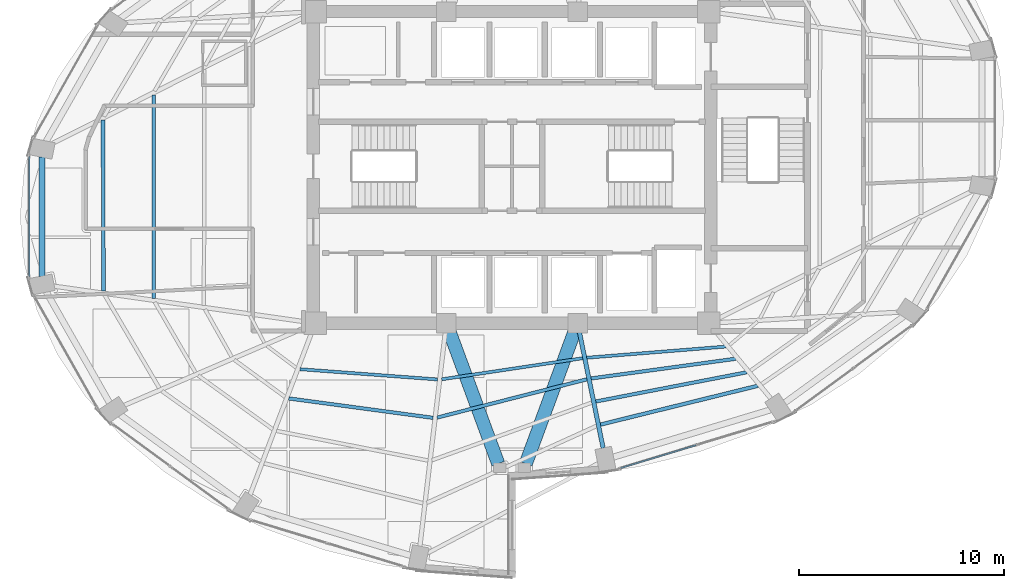
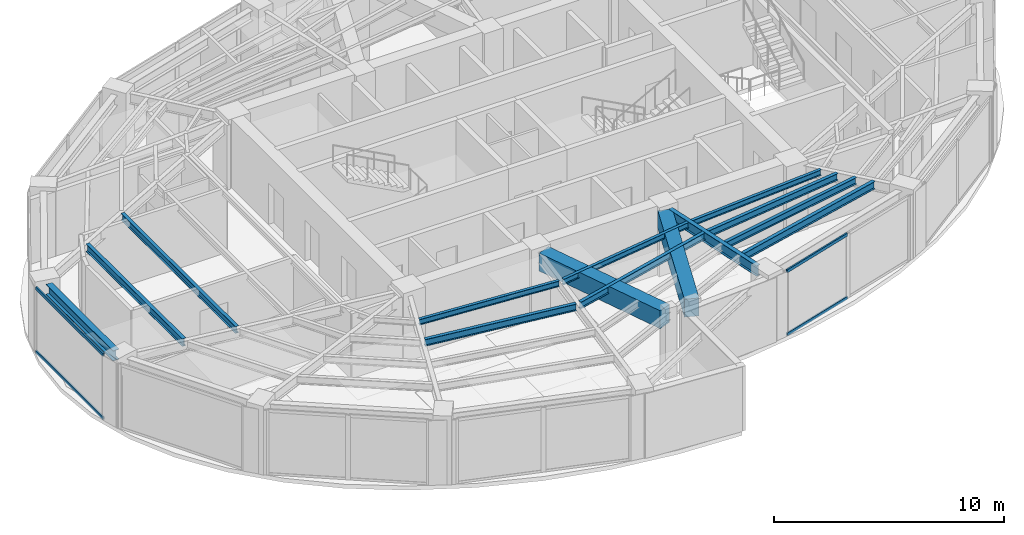
# One storey, part 5 of 20: 14 beams, 4 members, 2 elements without a shape of their own.
"""IFC4 building model written with IfcOpenShell, lengths in metres."""

from ifc_helpers import new_model, si_unit, direction, frame, origin, origin_2d, place, context, subcontext, project, spatial, rectangle, hollow_rectangle, i_section, extrude, material, layer, layer_set, material_profile, profile_set, type_object, element, aggregate, save


model = new_model("IFC4")

# Units and contexts
model_context = context("Model", 3, precision=1e-05, world=origin(), true_north=direction((0.0, 1.0)))
body_context = subcontext(model_context, "Body", "Model", "MODEL_VIEW")
ifc_project = project(units=[si_unit("LENGTHUNIT", "METRE"), si_unit("AREAUNIT", "SQUARE_METRE"), si_unit("VOLUMEUNIT", "CUBIC_METRE"), si_unit("PLANEANGLEUNIT", "RADIAN"), si_unit("MASSUNIT", "GRAM", prefix="KILO")], contexts=[model_context])

# Site, building, storey
site_placement = place(None, origin())
site = spatial("IfcSite", under=ifc_project, at=site_placement, CompositionType="ELEMENT")
building_placement = place(site_placement, origin())
building = spatial("IfcBuilding", under=site, at=building_placement, Name="Lazwardi Medical Tower", CompositionType="ELEMENT")
storey_placement = place(building_placement, frame((0.0, 0.0, 141.93603515625)))
storey = spatial("IfcBuildingStorey", under=building, at=storey_placement, Name="L36", CompositionType="ELEMENT", Elevation=141.93603515625)

# Beams
ifc_material_1 = material(Name="Concrete C60/75", Category="concrete")
ifc_material_profile_1 = material_profile(ifc_material_1, rectangle(XDim=0.64990234375, YDim=0.949951171875, at=origin_2d()), Name="RC 650x950")
ifc_profile_set_1 = profile_set([ifc_material_profile_1], Name="Concrete C60/75")
beam_type_1 = type_object("IfcBeamType", Name="BM-CB-RC2", PredefinedType="LINTEL", material=ifc_profile_set_1)
for number, where, z_axis, x_axis, name in (
    (1, (32.959228515625, 19.968505859375, 2.952880859375), (0.34601281054, -0.938229787921, 0.0), (0.938229787921, 0.34601281054, 0.0), "Core coupling lintel CB-02 PL3 L36"),
    (2, (39.040771484375, 19.968505859375, 2.952880859375), (-0.34601281054, -0.938229787921, 0.0), (0.938229787921, -0.34601281054, 0.0), "Core coupling lintel CB-02 PL4 L36"),
):
    element("IfcBeam", number, at=place(storey_placement, frame(where, z_axis=z_axis, x_axis=x_axis)), inside=storey, type_object=beam_type_1, Name=name, PredefinedType="LINTEL", context=body_context, shape_type="SweptSolid", body=[
        extrude(rectangle(XDim=0.64990234375, YDim=0.949951171875, at=origin_2d()), origin(), (0.0, 0.0, 1.0), 6.84423828125),
    ])
ifc_material_2 = material(Name="Steel S355", Category="steel")
ifc_material_profile_2 = material_profile(ifc_material_2, i_section(OverallWidth=0.300048828125, OverallDepth=0.550048828125, WebThickness=0.014892578125, FlangeThickness=0.029052734375, at=origin_2d()), Name="HEB 550")
ifc_profile_set_2 = profile_set([ifc_material_profile_2], Name="Steel S355")
beam_type_2 = type_object("IfcBeamType", Name="BM-RB-Z3", PredefinedType="BEAM", material=ifc_profile_set_2)
beam_1_placement = place(storey_placement, frame((13.07421875, 28.51171875, 3.153076171875), z_axis=(0.0, -1.0, 0.0), x_axis=(1.0, 0.0, 0.0)))
element("IfcBeam", 3, at=beam_1_placement, inside=storey, type_object=beam_type_2, Name="Ring beam RB-04 B12 L36", PredefinedType="BEAM", context=body_context, shape_type="SweptSolid", body=[
    extrude(i_section(OverallWidth=0.300048828125, OverallDepth=0.550048828125, WebThickness=0.014892578125, FlangeThickness=0.029052734375, at=origin_2d()), origin(), (0.0, 0.0, 1.0), 5.823486328125),
])
ifc_material_profile_3 = material_profile(ifc_material_2, i_section(OverallWidth=0.2099609375, OverallDepth=0.550048828125, WebThickness=0.010986328125, FlangeThickness=0.01708984375, at=origin_2d()), Name="IPE 550")
ifc_profile_set_3 = profile_set([ifc_material_profile_3], Name="Steel S355")
beam_type_3 = type_object("IfcBeamType", Name="BM-RG-W2", PredefinedType="BEAM", material=ifc_profile_set_3)
beam_2_placement = place(storey_placement, frame((40.447998046875, 14.2998046875, 3.153076171875), z_axis=(-0.200429485343, 0.979708130723, 0.0), x_axis=(-0.979708130723, -0.200429485343, 0.0)))
element("IfcBeam", 4, at=beam_2_placement, inside=storey, type_object=beam_type_3, Name="Radial girder RG-03 R01 L36", PredefinedType="BEAM", context=body_context, shape_type="SweptSolid", body=[
    extrude(i_section(OverallWidth=0.2099609375, OverallDepth=0.550048828125, WebThickness=0.010986328125, FlangeThickness=0.01708984375, at=origin_2d()), origin(), (0.0, 0.0, 1.0), 5.766357421875),
])
ifc_material_profile_4 = material_profile(ifc_material_2, i_section(OverallWidth=0.179931640625, OverallDepth=0.39990234375, WebThickness=0.008544921875, FlangeThickness=0.013427734375, at=origin_2d()), Name="IPE 400")
ifc_profile_set_4 = profile_set([ifc_material_profile_4], Name="Steel S355")
beam_type_4 = type_object("IfcBeamType", Name="BM-SJ-01", PredefinedType="JOIST", material=ifc_profile_set_4)
beam_3_placement = place(storey_placement, frame((40.31396484375, 15.45361328125, 3.22802734375), z_axis=(0.970912648168, 0.239433977597, 0.0), x_axis=(-0.239433977597, 0.970912648168, 0.0)))
element("IfcBeam", 5, at=beam_3_placement, inside=storey, type_object=beam_type_4, Name="Secondary joist SJ-01 R1 B01 L36", PredefinedType="JOIST", context=body_context, shape_type="SweptSolid", body=[
    extrude(i_section(OverallWidth=0.179931640625, OverallDepth=0.39990234375, WebThickness=0.008544921875, FlangeThickness=0.013427734375, at=origin_2d()), origin(), (0.0, 0.0, 1.0), 7.91162109375),
])
beam_4_placement = place(storey_placement, frame((16.04443359375, 30.30224609375, 3.22802734375), z_axis=(0.003864366017, -0.99999253331, 0.0), x_axis=(0.99999253331, 0.003864366017, 0.0)))
element("IfcBeam", 6, at=beam_4_placement, inside=storey, type_object=beam_type_4, Name="Secondary joist SJ-01 R1 B12 L36", PredefinedType="JOIST", context=body_context, shape_type="SweptSolid", body=[
    extrude(i_section(OverallWidth=0.179931640625, OverallDepth=0.39990234375, WebThickness=0.008544921875, FlangeThickness=0.013427734375, at=origin_2d()), origin(), (0.0, 0.0, 1.0), 8.33935546875),
])
ifc_material_profile_5 = material_profile(ifc_material_2, i_section(OverallWidth=0.169921875, OverallDepth=0.360107421875, WebThickness=0.008056640625, FlangeThickness=0.0126953125, at=origin_2d()), Name="IPE 360")
ifc_profile_set_5 = profile_set([ifc_material_profile_5], Name="Steel S355")
beam_type_5 = type_object("IfcBeamType", Name="BM-SJ-02", PredefinedType="JOIST", material=ifc_profile_set_5)
beam_5_placement = place(storey_placement, frame((40.083984375, 16.57861328125, 3.248046875), z_axis=(0.981753035865, 0.190160396953, 0.0), x_axis=(-0.190160396953, 0.981753035865, 0.0)))
element("IfcBeam", 7, at=beam_5_placement, inside=storey, type_object=beam_type_5, Name="Secondary joist SJ-02 R2 B01 L36", PredefinedType="JOIST", context=body_context, shape_type="SweptSolid", body=[
    extrude(i_section(OverallWidth=0.169921875, OverallDepth=0.360107421875, WebThickness=0.008056640625, FlangeThickness=0.0126953125, at=origin_2d()), origin(), (0.0, 0.0, 1.0), 7.50927734375),
])
beam_6_placement = place(storey_placement, frame((18.513671875, 31.541748046875, 3.248046875), z_axis=(0.001156040156, -0.999999331785, 0.0), x_axis=(0.999999331785, 0.001156040156, 0.0)))
element("IfcBeam", 8, at=beam_6_placement, inside=storey, type_object=beam_type_5, Name="Secondary joist SJ-02 R2 B12 L36", PredefinedType="JOIST", context=body_context, shape_type="SweptSolid", body=[
    extrude(i_section(OverallWidth=0.169921875, OverallDepth=0.360107421875, WebThickness=0.008056640625, FlangeThickness=0.0126953125, at=origin_2d()), origin(), (0.0, 0.0, 1.0), 9.92578125),
])
beam_7_placement = place(storey_placement, frame((39.853515625, 17.702880859375, 3.248046875), z_axis=(0.990832043476, 0.135099450852, 0.0), x_axis=(-0.135099450852, 0.990832043476, 0.0)))
element("IfcBeam", 9, at=beam_7_placement, inside=storey, type_object=beam_type_5, Name="Secondary joist SJ-02 R3 B01 L36", PredefinedType="JOIST", context=body_context, shape_type="SweptSolid", body=[
    extrude(i_section(OverallWidth=0.169921875, OverallDepth=0.360107421875, WebThickness=0.008056640625, FlangeThickness=0.0126953125, at=origin_2d()), origin(), (0.0, 0.0, 1.0), 7.129150390625),
])
beam_8_placement = place(storey_placement, frame((25.110107421875, 16.730224609375, 3.248046875), z_axis=(0.991056291961, -0.133444468468, 0.0), x_axis=(0.133444468468, 0.991056291961, 0.0)))
element("IfcBeam", 10, at=beam_8_placement, inside=storey, type_object=beam_type_5, Name="Secondary joist SJ-02 R3 B15 L36", PredefinedType="JOIST", context=body_context, shape_type="SweptSolid", body=[
    extrude(i_section(OverallWidth=0.169921875, OverallDepth=0.360107421875, WebThickness=0.008056640625, FlangeThickness=0.0126953125, at=origin_2d()), origin(), (0.0, 0.0, 1.0), 7.10400390625),
])
beam_9_placement = place(storey_placement, frame((32.3466796875, 15.793701171875, 3.248046875), z_axis=(0.96877632572, 0.247936344097, 0.0), x_axis=(-0.247936344097, 0.96877632572, 0.0)))
element("IfcBeam", 11, at=beam_9_placement, inside=storey, type_object=beam_type_5, Name="Secondary joist SJ-02 R3 B16 L36", PredefinedType="JOIST", context=body_context, shape_type="SweptSolid", body=[
    extrude(i_section(OverallWidth=0.169921875, OverallDepth=0.360107421875, WebThickness=0.008056640625, FlangeThickness=0.0126953125, at=origin_2d()), origin(), (0.0, 0.0, 1.0), 7.546630859375),
])
ifc_material_profile_6 = material_profile(ifc_material_2, i_section(OverallWidth=0.14990234375, OverallDepth=0.300048828125, WebThickness=0.007080078125, FlangeThickness=0.0107421875, at=origin_2d()), Name="IPE 300")
ifc_profile_set_6 = profile_set([ifc_material_profile_6], Name="Steel S355")
beam_type_6 = type_object("IfcBeamType", Name="BM-SJ-03", PredefinedType="JOIST", material=ifc_profile_set_6)
beam_10_placement = place(storey_placement, frame((39.646240234375, 18.71435546875, 3.278076171875), z_axis=(0.996785792338, 0.08011294647, 0.0), x_axis=(-0.08011294647, 0.996785792338, 0.0)))
element("IfcBeam", 12, at=beam_10_placement, inside=storey, type_object=beam_type_6, Name="Secondary joist SJ-03 R4 B01 L36", PredefinedType="JOIST", context=body_context, shape_type="SweptSolid", body=[
    extrude(i_section(OverallWidth=0.14990234375, OverallDepth=0.300048828125, WebThickness=0.007080078125, FlangeThickness=0.0107421875, at=origin_2d()), origin(), (0.0, 0.0, 1.0), 6.80810546875),
])
beam_11_placement = place(storey_placement, frame((25.650390625, 18.156494140625, 3.278076171875), z_axis=(0.99722699261, -0.074419924822, 0.0), x_axis=(0.074419924822, 0.99722699261, 0.0)))
element("IfcBeam", 13, at=beam_11_placement, inside=storey, type_object=beam_type_6, Name="Secondary joist SJ-03 R4 B15 L36", PredefinedType="JOIST", context=body_context, shape_type="SweptSolid", body=[
    extrude(i_section(OverallWidth=0.14990234375, OverallDepth=0.300048828125, WebThickness=0.007080078125, FlangeThickness=0.0107421875, at=origin_2d()), origin(), (0.0, 0.0, 1.0), 6.74169921875),
])
beam_12_placement = place(storey_placement, frame((32.57177734375, 17.662109375, 3.278076171875), z_axis=(0.98897469849, 0.148084589835, 0.0), x_axis=(-0.148084589835, 0.98897469849, 0.0)))
element("IfcBeam", 14, at=beam_12_placement, inside=storey, type_object=beam_type_6, Name="Secondary joist SJ-03 R4 B16 L36", PredefinedType="JOIST", context=body_context, shape_type="SweptSolid", body=[
    extrude(i_section(OverallWidth=0.14990234375, OverallDepth=0.300048828125, WebThickness=0.007080078125, FlangeThickness=0.0107421875, at=origin_2d()), origin(), (0.0, 0.0, 1.0), 6.952392578125),
])

# Curtain wall, members
ifc_material_3 = material(Name="Anodised bronze aluminium and solar control glazing", Category="aluminium")
ifc_layer = layer(ifc_material_3, 0.195068359375)
ifc_layer_set = layer_set([ifc_layer], Name="Anodised bronze aluminium and solar control glazing")
curtain_wall_type = type_object("IfcCurtainWallType", Name="CW-SYS-03", PredefinedType="NOTDEFINED", material=ifc_layer_set)
curtain_wall_1_placement = place(storey_placement, origin())
curtain_wall_1 = element("IfcCurtainWall", 15, at=curtain_wall_1_placement, inside=storey, type_object=curtain_wall_type, Name="L36 Unitised bronze curtain wall CW-03", PredefinedType="NOTDEFINED")
ifc_material_4 = material(Name="Anodised bronze aluminium", Category="aluminium")
ifc_material_profile_7 = material_profile(ifc_material_4, hollow_rectangle(XDim=0.074951171875, YDim=0.159912109375, WallThickness=0.00390625, at=origin_2d()), Name="ALU-TRANSOM 160x75x4")
ifc_profile_set_7 = profile_set([ifc_material_profile_7], Name="Anodised bronze aluminium")
member_type = type_object("IfcMemberType", Name="CW-TRN-01", PredefinedType="USERDEFINED", material=ifc_profile_set_7)
member_1_placement = place(storey_placement, frame((41.307861328125, 13.336669921875, 0.037353515625), z_axis=(0.956935517424, 0.290300560612, 0.0), x_axis=(-0.290300560612, 0.956935517424, 0.0)))
member_1 = element("IfcMember", 16, at=member_1_placement, type_object=member_type, Name="CW-03 transom 1.1", ObjectType="TRANSOM", PredefinedType="USERDEFINED", context=body_context, shape_type="SweptSolid", body=[
    extrude(hollow_rectangle(XDim=0.074951171875, YDim=0.159912109375, WallThickness=0.00390625, at=origin_2d()), origin(), (0.0, 0.0, 1.0), 3.836669921875),
])
member_2_placement = place(storey_placement, frame((41.307861328125, 13.336669921875, 3.390380859375), z_axis=(0.956935517424, 0.290300560612, 0.0), x_axis=(-0.290300560612, 0.956935517424, 0.0)))
member_2 = element("IfcMember", 17, at=member_2_placement, type_object=member_type, Name="CW-03 transom 1.2", ObjectType="TRANSOM", PredefinedType="USERDEFINED", context=body_context, shape_type="SweptSolid", body=[
    extrude(hollow_rectangle(XDim=0.074951171875, YDim=0.159912109375, WallThickness=0.00390625, at=origin_2d()), origin(), (0.0, 0.0, 1.0), 3.836669921875),
])
aggregate(curtain_wall_1, [member_1, member_2])

curtain_wall_2_placement = place(storey_placement, origin())
curtain_wall_2 = element("IfcCurtainWall", 18, at=curtain_wall_2_placement, inside=storey, type_object=curtain_wall_type, Name="L36 Unitised bronze curtain wall CW-03", PredefinedType="NOTDEFINED")
member_3_placement = place(storey_placement, frame((12.4423828125, 28.5205078125, 0.037353515625), z_axis=(0.0, -1.0, 0.0), x_axis=(1.0, 0.0, 0.0)))
member_3 = element("IfcMember", 19, at=member_3_placement, type_object=member_type, Name="CW-03 transom 1.1", ObjectType="TRANSOM", PredefinedType="USERDEFINED", context=body_context, shape_type="SweptSolid", body=[
    extrude(hollow_rectangle(XDim=0.074951171875, YDim=0.159912109375, WallThickness=0.00390625, at=origin_2d()), origin(), (0.0, 0.0, 1.0), 5.8408203125),
])
member_4_placement = place(storey_placement, frame((12.4423828125, 28.5205078125, 3.390380859375), z_axis=(0.0, -1.0, 0.0), x_axis=(1.0, 0.0, 0.0)))
member_4 = element("IfcMember", 20, at=member_4_placement, type_object=member_type, Name="CW-03 transom 1.2", ObjectType="TRANSOM", PredefinedType="USERDEFINED", context=body_context, shape_type="SweptSolid", body=[
    extrude(hollow_rectangle(XDim=0.074951171875, YDim=0.159912109375, WallThickness=0.00390625, at=origin_2d()), origin(), (0.0, 0.0, 1.0), 5.8408203125),
])
aggregate(curtain_wall_2, [member_3, member_4])

save(model, "model.ifc")
